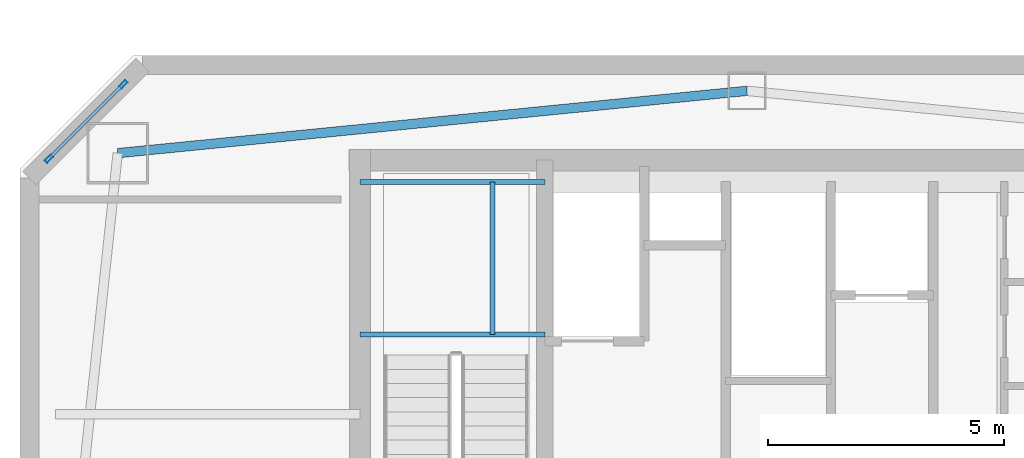
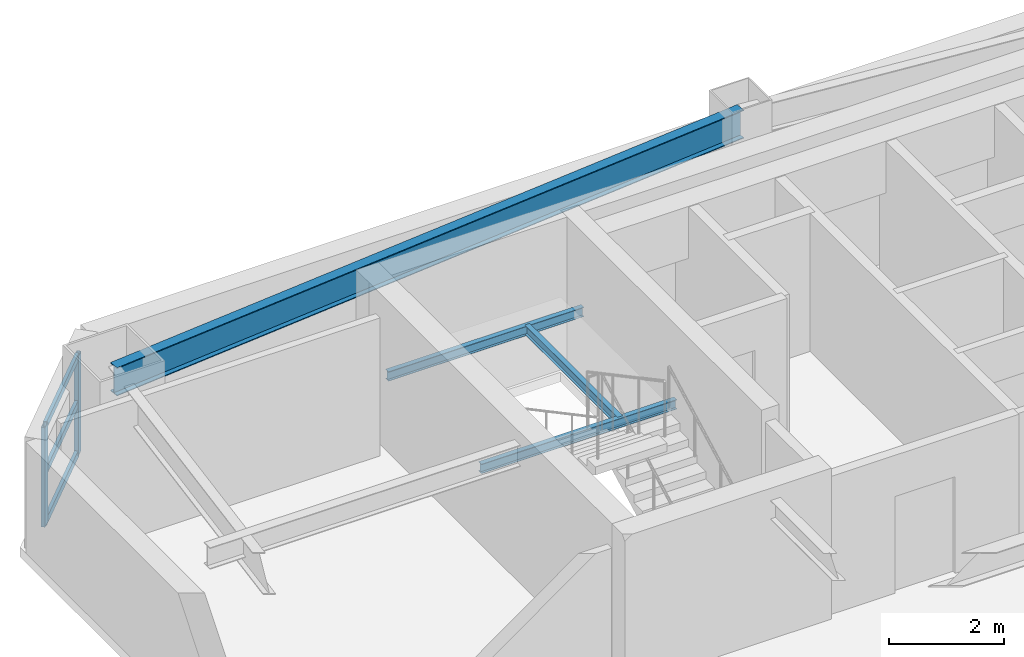
# One storey, part 6 of 20: 5 members, 4 beams, 1 element without a shape of its own.
"""IFC4 building model written with IfcOpenShell, lengths in metres."""

from ifc_helpers import new_model, si_unit, direction, frame, origin, origin_2d, place, context, subcontext, project, spatial, hollow_rectangle, i_section, extrude, material, layer, layer_set, material_profile, profile_set, type_object, element, aggregate, save


model = new_model("IFC4")

# Units and contexts
model_context = context("Model", 3, precision=1e-05, world=origin(), true_north=direction((0.0, 1.0)))
body_context = subcontext(model_context, "Body", "Model", "MODEL_VIEW")
ifc_project = project(units=[si_unit("LENGTHUNIT", "METRE"), si_unit("AREAUNIT", "SQUARE_METRE"), si_unit("VOLUMEUNIT", "CUBIC_METRE"), si_unit("PLANEANGLEUNIT", "RADIAN"), si_unit("MASSUNIT", "GRAM", prefix="KILO")], contexts=[model_context])

# Site, building, storey
site_placement = place(None, origin())
site = spatial("IfcSite", under=ifc_project, at=site_placement, CompositionType="ELEMENT")
building_placement = place(site_placement, origin())
building = spatial("IfcBuilding", under=site, at=building_placement, Name="Qiaolan Cultural Towers", CompositionType="ELEMENT")
storey_placement = place(building_placement, frame((0.0, 0.0, 244.0)))
storey = spatial("IfcBuildingStorey", under=building, at=storey_placement, Name="L66", CompositionType="ELEMENT", Elevation=244.0)

# Beams
ifc_material_1 = material(Name="Steel Q355B", Category="steel")
ifc_material_profile_1 = material_profile(ifc_material_1, i_section(OverallWidth=0.199951171875, OverallDepth=0.60009765625, WebThickness=0.010986328125, FlangeThickness=0.01708984375, at=origin_2d()), Name="HN600x200x11x17")
ifc_profile_set_1 = profile_set([ifc_material_profile_1], Name="Steel Q355B")
beam_type_1 = type_object("IfcBeamType", Name="BM-SPD-HN600x200x11x17", PredefinedType="SPANDREL", material=ifc_profile_set_1)
beam_1_placement = place(storey_placement, frame((30.0, 56.75, 2.639892578125), z_axis=(-0.995132371263, -0.098547266143, 0.0), x_axis=(0.098547266143, -0.995132371263, 0.0)))
element("IfcBeam", 1, at=beam_1_placement, inside=storey, type_object=beam_type_1, Name="L66 T1 Perimeter Spandrel Beam 8", PredefinedType="SPANDREL", context=body_context, shape_type="SweptSolid", body=[
    extrude(i_section(OverallWidth=0.199951171875, OverallDepth=0.60009765625, WebThickness=0.010986328125, FlangeThickness=0.01708984375, at=origin_2d()), origin(), (0.0, 0.0, 1.0), 13.395263671875),
])
ifc_material_2 = material(Name="Steel Q355B", Category="steel")
ifc_material_profile_2 = material_profile(ifc_material_2, i_section(OverallWidth=0.10009765625, OverallDepth=0.199951171875, WebThickness=0.005615234375, FlangeThickness=0.008056640625, at=origin_2d()), Name="HN200x100x5.5x8")
ifc_profile_set_2 = profile_set([ifc_material_profile_2], Name="Steel Q355B")
beam_type_2 = type_object("IfcBeamType", Name="BM-STTRIM-200", PredefinedType="BEAM", material=ifc_profile_set_2)
for number, where, z_axis, x_axis, name in (
    (2, (21.800048828125, 51.588623046875, 1.300048828125), (1.0, 0.0, 0.0), (0.0, 1.0, 0.0), "L66 ST-W2 Stair Landing Support Beam 1-1"),
    (3, (21.800048828125, 54.820068359375, 1.300048828125), (1.0, 0.0, 0.0), (0.0, 1.0, 0.0), "L66 ST-W2 Stair Landing Support Beam 1-2"),
):
    element("IfcBeam", number, at=place(storey_placement, frame(where, z_axis=z_axis, x_axis=x_axis)), inside=storey, type_object=beam_type_2, Name=name, PredefinedType="BEAM", context=body_context, shape_type="SweptSolid", body=[
        extrude(i_section(OverallWidth=0.10009765625, OverallDepth=0.199951171875, WebThickness=0.005615234375, FlangeThickness=0.008056640625, at=origin_2d()), origin(), (0.0, 0.0, 1.0), 3.919921875),
    ])
beam_2_placement = place(storey_placement, frame((24.610107421875, 51.588623046875, 1.300048828125), z_axis=(0.0, 1.0, 0.0), x_axis=(-1.0, 0.0, 0.0)))
element("IfcBeam", 4, at=beam_2_placement, inside=storey, type_object=beam_type_2, Name="L66 ST-W2 Stair Landing Trimmer 1", PredefinedType="BEAM", context=body_context, shape_type="SweptSolid", body=[
    extrude(i_section(OverallWidth=0.10009765625, OverallDepth=0.199951171875, WebThickness=0.005615234375, FlangeThickness=0.008056640625, at=origin_2d()), origin(), (0.0, 0.0, 1.0), 3.2314453125),
])

# Curtain wall, members
ifc_material_3 = material(Name="Unitized Anodized Aluminium Curtain Wall System", Category="aluminium")
ifc_layer = layer(ifc_material_3, 0.199951171875)
ifc_layer_set = layer_set([ifc_layer], Name="Unitized Anodized Aluminium Curtain Wall System")
curtain_wall_type = type_object("IfcCurtainWallType", Name="CWS-05", PredefinedType="NOTDEFINED", material=ifc_layer_set)
curtain_wall_placement = place(storey_placement, origin())
curtain_wall = element("IfcCurtainWall", 5, at=curtain_wall_placement, inside=storey, type_object=curtain_wall_type, Name="L66 T1 Chamfer Wind-Corner Feature Curtain Wall 1", PredefinedType="NOTDEFINED")
ifc_material_4 = material(Name="Extruded Aluminium 6063-T6", Category="aluminium")
ifc_material_profile_3 = material_profile(ifc_material_4, hollow_rectangle(XDim=0.074951171875, YDim=0.179931640625, WallThickness=0.00390625, at=origin_2d()), Name="CWM-180x75x4")
ifc_profile_set_3 = profile_set([ifc_material_profile_3], Name="Extruded Aluminium 6063-T6")
member_type_1 = type_object("IfcMemberType", Name="CWS-05-MUL", PredefinedType="MULLION", material=ifc_profile_set_3)
member_1_placement = place(storey_placement, frame((15.21044921875, 55.310546875, 0.14990234375), z_axis=(0.0, 0.0, 1.0), x_axis=(-0.707106781187, 0.707106781187, 0.0)))
member_1 = element("IfcMember", 6, at=member_1_placement, type_object=member_type_1, Name="CW-5 mullion 1", PredefinedType="MULLION", context=body_context, shape_type="SweptSolid", body=[
    extrude(hollow_rectangle(XDim=0.074951171875, YDim=0.179931640625, WallThickness=0.00390625, at=origin_2d()), origin(), (0.0, 0.0, 1.0), 2.110107421875),
])
member_2_placement = place(storey_placement, frame((16.78955078125, 56.889404296875, 0.14990234375), z_axis=(0.0, 0.0, 1.0), x_axis=(-0.707106781187, 0.707106781187, 0.0)))
member_2 = element("IfcMember", 7, at=member_2_placement, type_object=member_type_1, Name="CW-5 mullion 2", PredefinedType="MULLION", context=body_context, shape_type="SweptSolid", body=[
    extrude(hollow_rectangle(XDim=0.074951171875, YDim=0.179931640625, WallThickness=0.00390625, at=origin_2d()), origin(), (0.0, 0.0, 1.0), 2.110107421875),
])
ifc_material_5 = material(Name="Extruded Aluminium 6063-T6", Category="aluminium")
ifc_material_profile_4 = material_profile(ifc_material_5, hollow_rectangle(XDim=0.06494140625, YDim=0.14990234375, WallThickness=0.00390625, at=origin_2d()), Name="CWT-150x65x4")
ifc_profile_set_4 = profile_set([ifc_material_profile_4], Name="Extruded Aluminium 6063-T6")
member_type_2 = type_object("IfcMemberType", Name="CWS-05-TRN", PredefinedType="USERDEFINED", material=ifc_profile_set_4)
member_3_placement = place(storey_placement, frame((15.237060546875, 55.3369140625, 0.1826171875), z_axis=(0.707050214907, 0.707163342941, 0.0), x_axis=(-0.707163342941, 0.707050214907, 0.0)))
member_3 = element("IfcMember", 8, at=member_3_placement, type_object=member_type_2, Name="CW-5 transom 1.1", ObjectType="TRANSOM", PredefinedType="USERDEFINED", context=body_context, shape_type="SweptSolid", body=[
    extrude(hollow_rectangle(XDim=0.06494140625, YDim=0.14990234375, WallThickness=0.00390625, at=origin_2d()), origin(), (0.0, 0.0, 1.0), 2.158203125),
])
member_4_placement = place(storey_placement, frame((15.237060546875, 55.3369140625, 1.25), z_axis=(0.707050214907, 0.707163342941, 0.0), x_axis=(-0.707163342941, 0.707050214907, 0.0)))
member_4 = element("IfcMember", 9, at=member_4_placement, type_object=member_type_2, Name="CW-5 transom 1.2", ObjectType="TRANSOM", PredefinedType="USERDEFINED", context=body_context, shape_type="SweptSolid", body=[
    extrude(hollow_rectangle(XDim=0.06494140625, YDim=0.14990234375, WallThickness=0.00390625, at=origin_2d()), origin(), (0.0, 0.0, 1.0), 2.158203125),
])
member_5_placement = place(storey_placement, frame((15.237060546875, 55.3369140625, 2.2275390625), z_axis=(0.707050214907, 0.707163342941, 0.0), x_axis=(-0.707163342941, 0.707050214907, 0.0)))
member_5 = element("IfcMember", 10, at=member_5_placement, type_object=member_type_2, Name="CW-5 transom 1.3", ObjectType="TRANSOM", PredefinedType="USERDEFINED", context=body_context, shape_type="SweptSolid", body=[
    extrude(hollow_rectangle(XDim=0.06494140625, YDim=0.14990234375, WallThickness=0.00390625, at=origin_2d()), origin(), (0.0, 0.0, 1.0), 2.158203125),
])
aggregate(curtain_wall, [member_1, member_2, member_3, member_4, member_5])

save(model, "model.ifc")
